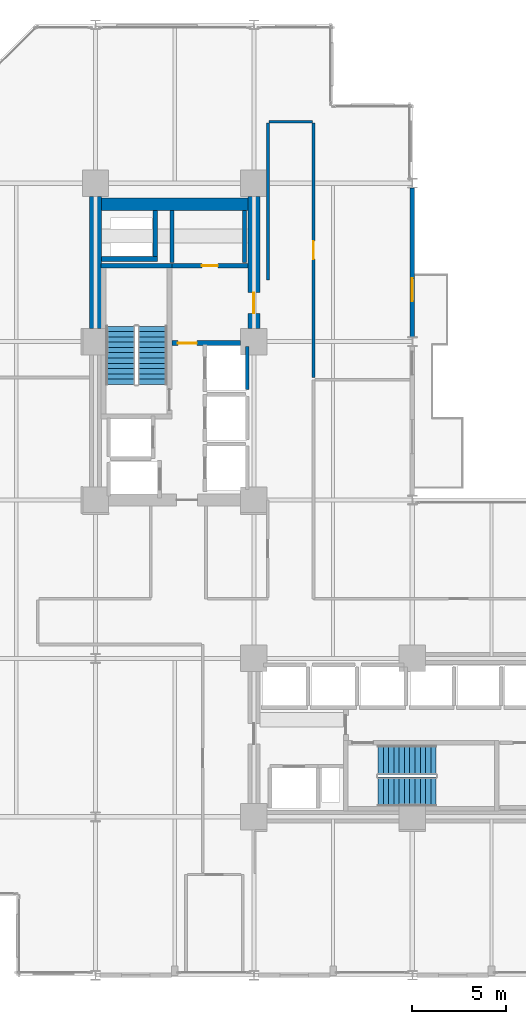
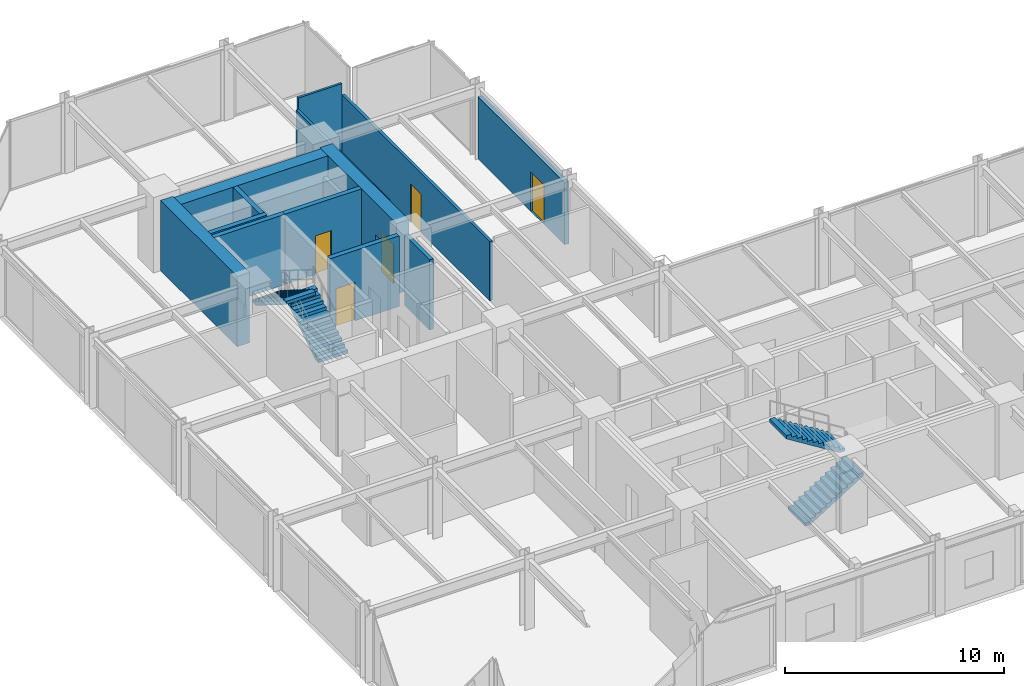
# One storey, part 21 of 24: 15 walls, 5 doors, 4 stair flights, 5 openings, 2 elements without a shape of their own.
"""IFC4 building model written with IfcOpenShell, lengths in metres."""

from ifc_helpers import new_model, si_unit, direction, frame, frame_2d, origin, place, context, subcontext, project, spatial, polyline, rectangle, outline, extrude, material, layer, layer_set, type_object, element, fill, aggregate, save


model = new_model("IFC4")

# Units and contexts
model_context = context("Model", 3, precision=1e-05, world=origin(), true_north=direction((0.0, 1.0)))
body_context = subcontext(model_context, "Body", "Model", "MODEL_VIEW")
ifc_project = project(units=[si_unit("LENGTHUNIT", "METRE"), si_unit("AREAUNIT", "SQUARE_METRE"), si_unit("VOLUMEUNIT", "CUBIC_METRE"), si_unit("PLANEANGLEUNIT", "RADIAN"), si_unit("MASSUNIT", "GRAM", prefix="KILO")], contexts=[model_context])

# Site, building, storey
site_placement = place(None, origin())
site = spatial("IfcSite", under=ifc_project, at=site_placement, CompositionType="ELEMENT")
building_placement = place(site_placement, origin())
building = spatial("IfcBuilding", under=site, at=building_placement, Name="Nerrivon Quay Data Exchange", CompositionType="ELEMENT")
storey_placement = place(building_placement, frame((0.0, 0.0, 33.199951171875)))
storey = spatial("IfcBuildingStorey", under=building, at=storey_placement, Name="L07", CompositionType="ELEMENT", Elevation=33.199951171875)

# Wall, opening, door
ifc_material_1 = material(Name="Architectural terracotta precast concrete N50 (50 MPa)", Category="masonry")
ifc_layer_1 = layer(ifc_material_1, 0.239990234375)
ifc_layer_set_1 = layer_set([ifc_layer_1], Name="Architectural terracotta precast concrete N50 (50 MPa)")
wall_type_1 = type_object("IfcWallType", Name="EW-PREC-240", PredefinedType="STANDARD", material=ifc_layer_set_1)
wall_1_placement = place(storey_placement, frame((25.199951171875, 41.75, 0.0), z_axis=(0.0, 0.0, 1.0), x_axis=(0.0, -1.0, 0.0)))
wall_1 = element("IfcWall", 1, at=wall_1_placement, inside=storey, type_object=wall_type_1, Name="L07 Terrace Host Wall 26", PredefinedType="STANDARD", context=body_context, shape_type="SweptSolid", body=[
    extrude(rectangle(XDim=7.89990234375, YDim=0.239990234375, at=frame_2d((3.949951171875, 0.0))), origin(), (0.0, 0.0, 1.0), 3.470947265625),
])
opening_1_placement = place(wall_1_placement, frame((4.800048828125, 0.0, 0.0)))
opening_1 = element("IfcOpeningElement", 2, at=opening_1_placement, cuts=wall_1, Name="Opening TD1", PredefinedType="OPENING", context=body_context, shape_type="SweptSolid", body=[
    extrude(rectangle(XDim=1.199951171875, YDim=2.199951171875, at=frame_2d((0.60009765625, 1.10009765625))), frame((0.0, 0.1298828125, 0.0), z_axis=(0.0, -1.0, 0.0), x_axis=(1.0, 0.0, 0.0)), (0.0, 0.0, 1.0), 0.260009765625),
])
ifc_material_2 = material(Name="Double-glazed low-E solar control glass", Category="glass")
door_type_1 = type_object("IfcDoorType", Name="DR-TERR-1200x2200", OperationType="NOTDEFINED", PredefinedType="DOOR", material=ifc_material_2)
door_1_placement = place(opening_1_placement, origin())
door_1 = element("IfcDoor", 3, at=door_1_placement, inside=storey, type_object=door_type_1, Name="L07 Outdoor Terrace Access Door 26", OperationType="SINGLE_SWING_LEFT", OverallHeight=2.199951171875, OverallWidth=1.199951171875, PredefinedType="DOOR", context=body_context, shape_type="SweptSolid", body=[
    extrude(rectangle(XDim=1.199951171875, YDim=2.199951171875, at=frame_2d((0.60009765625, 1.10009765625))), frame((0.0, 0.02490234375, 0.0), z_axis=(0.0, -1.0, 0.0), x_axis=(1.0, 0.0, 0.0)), (0.0, 0.0, 1.0), 0.050048828125),
])
fill(opening_1, door_1)

# Walls
ifc_material_3 = material(Name="Concrete N80 (80 MPa)", Category="concrete")
ifc_layer_2 = layer(ifc_material_3, 0.64990234375)
ifc_layer_set_2 = layer_set([ifc_layer_2], Name="Concrete N80 (80 MPa)")
wall_type_2 = type_object("IfcWallType", Name="WALL-CW-850", PredefinedType="SHEAR", material=ifc_layer_set_2)
wall_2_placement = place(storey_placement, frame((8.39990234375, 34.300048828125, 0.0), z_axis=(0.0, 0.0, 1.0), x_axis=(0.0, 1.0, 0.0)))
element("IfcWall", 4, at=wall_2_placement, inside=storey, type_object=wall_type_2, Name="L07 West Split-Core Shear Wall WCW-W2", PredefinedType="SHEAR", context=body_context, shape_type="SweptSolid", body=[
    extrude(rectangle(XDim=7.0, YDim=0.64990234375, at=frame_2d((3.5, 0.0))), origin(), (0.0, 0.0, 1.0), 3.925048828125),
])
wall_3_placement = place(storey_placement, frame((8.72509765625, 40.875, 0.0), z_axis=(0.0, 0.0, 1.0), x_axis=(1.0, 0.0, 0.0)))
element("IfcWall", 5, at=wall_3_placement, inside=storey, type_object=wall_type_2, Name="L07 West Split-Core Shear Wall WCW-N1", PredefinedType="SHEAR", context=body_context, shape_type="SweptSolid", body=[
    extrude(rectangle(XDim=7.75, YDim=0.64990234375, at=frame_2d((3.875, 0.0))), origin(), (0.0, 0.0, 1.0), 3.925048828125),
])

# Wall, opening, door
wall_4_placement = place(storey_placement, frame((16.800048828125, 34.300048828125, 0.0), z_axis=(0.0, 0.0, 1.0), x_axis=(0.0, 1.0, 0.0)))
wall_4 = element("IfcWall", 6, at=wall_4_placement, inside=storey, type_object=wall_type_2, Name="L07 West Split-Core Shear Wall WCW-E1", PredefinedType="SHEAR", context=body_context, shape_type="SweptSolid", body=[
    extrude(rectangle(XDim=7.0, YDim=0.64990234375, at=frame_2d((3.5, 0.0))), origin(), (0.0, 0.0, 1.0), 3.925048828125),
])
opening_2_placement = place(wall_4_placement, frame((0.800048828125, 0.0, 0.0)))
opening_2 = element("IfcOpeningElement", 7, at=opening_2_placement, cuts=wall_4, Name="Opening FD-120", PredefinedType="OPENING", context=body_context, shape_type="SweptSolid", body=[
    extrude(rectangle(XDim=1.10009765625, YDim=2.14990234375, at=frame_2d((0.550048828125, 1.074951171875))), frame((0.0, 0.3349609375, 0.0), z_axis=(0.0, -1.0, 0.0), x_axis=(1.0, 0.0, 0.0)), (0.0, 0.0, 1.0), 0.669921875),
])
ifc_material_4 = material(Name="Powder-coated galvanized steel sheet", Category="steel")
door_type_2 = type_object("IfcDoorType", Name="DR-FD120-1100", OperationType="NOTDEFINED", PredefinedType="DOOR", material=ifc_material_4)
door_2_placement = place(opening_2_placement, origin())
door_2 = element("IfcDoor", 8, at=door_2_placement, inside=storey, type_object=door_type_2, Name="L07 West Core Lobby Fire Door", OperationType="SINGLE_SWING_RIGHT", OverallHeight=2.14990234375, OverallWidth=1.10009765625, PredefinedType="DOOR", context=body_context, shape_type="SweptSolid", body=[
    extrude(rectangle(XDim=1.10009765625, YDim=2.14990234375, at=frame_2d((0.550048828125, 1.074951171875))), frame((0.0, 0.02490234375, 0.0), z_axis=(0.0, -1.0, 0.0), x_axis=(1.0, 0.0, 0.0)), (0.0, 0.0, 1.0), 0.050048828125),
])
fill(opening_2, door_2)

# Walls
ifc_material_5 = material(Name="Gypsum plasterboard on cold-formed framing", Category="gypsum")
ifc_layer_3 = layer(ifc_material_5, 0.199951171875)
ifc_layer_set_3 = layer_set([ifc_layer_3], Name="Gypsum plasterboard on cold-formed framing")
wall_type_3 = type_object("IfcWallType", Name="WALL-FW-200", PredefinedType="PARTITIONING", material=ifc_layer_set_3)
wall_5_placement = place(storey_placement, frame((16.449951171875, 31.050048828125, 0.0), z_axis=(0.0, 0.0, 1.0), x_axis=(0.0, 1.0, 0.0)))
element("IfcWall", 9, at=wall_5_placement, inside=storey, type_object=wall_type_3, Name="L07 Lift Shaft Wall PL3 EAST", PredefinedType="PARTITIONING", context=body_context, shape_type="SweptSolid", body=[
    extrude(rectangle(XDim=2.300048828125, YDim=0.199951171875, at=frame_2d((1.14990234375, 0.0))), origin(), (0.0, 0.0, 1.0), 3.925048828125),
])
for number, where, z_axis, x_axis, name in (
    (10, (16.300048828125, 37.780029296875, 0.0), (0.0, 0.0, 1.0), (0.0, 1.0, 0.0), "L07 Partition Cleaners Store"),
    (11, (12.449951171875, 40.5458984375, 0.0), (0.0, 0.0, 1.0), (0.0, -1.0, 0.0), "L07 Partition Cleaners Store"),
):
    element("IfcWall", number, at=place(storey_placement, frame(where, z_axis=z_axis, x_axis=x_axis)), inside=storey, type_object=wall_type_3, Name=name, PredefinedType="PARTITIONING", context=body_context, shape_type="SweptSolid", body=[
        extrude(rectangle(XDim=2.765869140625, YDim=0.199951171875, at=frame_2d((1.3828125, 0.0))), origin(), (0.0, 0.0, 1.0), 2.824951171875),
    ])
ifc_layer_4 = layer(ifc_material_5, 0.1201171875)
ifc_layer_set_4 = layer_set([ifc_layer_4], Name="Gypsum plasterboard on cold-formed framing")
wall_type_4 = type_object("IfcWallType", Name="WALL-PT-120", PredefinedType="PARTITIONING", material=ifc_layer_set_4)
wall_6_placement = place(storey_placement, frame((17.60009765625, 45.260009765625, 0.0), z_axis=(0.0, 0.0, 1.0), x_axis=(1.0, 0.0, 0.0)))
element("IfcWall", 12, at=wall_6_placement, inside=storey, type_object=wall_type_4, Name="L07 Partition Cloud Compute Workspace 1", PredefinedType="PARTITIONING", context=body_context, shape_type="SweptSolid", body=[
    extrude(rectangle(XDim=2.2998046875, YDim=0.1201171875, at=frame_2d((1.14990234375, 0.0))), origin(), (0.0, 0.0, 1.0), 3.925048828125),
])

# Wall, opening, door
ifc_layer_5 = layer(ifc_material_5, 0.14990234375)
ifc_layer_set_5 = layer_set([ifc_layer_5], Name="Gypsum plasterboard on cold-formed framing")
wall_type_5 = type_object("IfcWallType", Name="WALL-PT-150", PredefinedType="PARTITIONING", material=ifc_layer_set_5)
wall_7_placement = place(storey_placement, frame((19.9599609375, 45.199951171875, 0.0), z_axis=(0.0, 0.0, 1.0), x_axis=(0.0, -1.0, 0.0)))
wall_7 = element("IfcWall", 13, at=wall_7_placement, inside=storey, type_object=wall_type_5, Name="L07 Partition Cloud Compute Workspace 1", PredefinedType="PARTITIONING", context=body_context, shape_type="SweptSolid", body=[
    extrude(rectangle(XDim=13.507080078125, YDim=0.14990234375, at=frame_2d((6.75341796875, 0.0))), origin(), (0.0, 0.0, 1.0), 3.31298828125),
])
opening_3_placement = place(wall_7_placement, frame((6.278564453125, 0.0, 0.0)))
opening_3 = element("IfcOpeningElement", 14, at=opening_3_placement, cuts=wall_7, Name="Opening D-01", PredefinedType="OPENING", context=body_context, shape_type="SweptSolid", body=[
    extrude(rectangle(XDim=0.949951171875, YDim=2.14990234375, at=frame_2d((0.47509765625, 1.074951171875))), frame((0.0, 0.0849609375, 0.0), z_axis=(0.0, -1.0, 0.0), x_axis=(1.0, 0.0, 0.0)), (0.0, 0.0, 1.0), 0.169921875),
])
ifc_material_6 = material(Name="Engineered hardwood timber", Category="wood")
door_type_3 = type_object("IfcDoorType", Name="DR-INT-950", OperationType="NOTDEFINED", PredefinedType="DOOR", material=ifc_material_6)
door_3_placement = place(opening_3_placement, origin())
door_3 = element("IfcDoor", 15, at=door_3_placement, inside=storey, type_object=door_type_3, Name="L07 Door Cloud Compute Workspace 1", OperationType="SINGLE_SWING_RIGHT", OverallHeight=2.14990234375, OverallWidth=0.949951171875, PredefinedType="DOOR", context=body_context, shape_type="SweptSolid", body=[
    extrude(rectangle(XDim=0.949951171875, YDim=2.14990234375, at=frame_2d((0.47509765625, 1.074951171875))), frame((0.0, 0.02490234375, 0.0), z_axis=(0.0, -1.0, 0.0), x_axis=(1.0, 0.0, 0.0)), (0.0, 0.0, 1.0), 0.050048828125),
])
fill(opening_3, door_3)

# Walls
wall_8_placement = place(storey_placement, frame((17.5400390625, 36.860107421875, 0.0), z_axis=(0.0, 0.0, 1.0), x_axis=(0.0, 1.0, 0.0)))
element("IfcWall", 16, at=wall_8_placement, inside=storey, type_object=wall_type_5, Name="L07 Partition Cloud Compute Workspace 1", PredefinedType="PARTITIONING", context=body_context, shape_type="SweptSolid", body=[
    extrude(rectangle(XDim=8.33984375, YDim=0.14990234375, at=frame_2d((4.169921875, 0.0))), origin(), (0.0, 0.0, 1.0), 3.31298828125),
])
ifc_material_7 = material(Name="Concrete N50 (50 MPa)", Category="concrete")
ifc_layer_6 = layer(ifc_material_7, 0.25)
ifc_layer_set_6 = layer_set([ifc_layer_6], Name="Concrete N50 (50 MPa)")
wall_type_6 = type_object("IfcWallType", Name="WALL-SW-250", PredefinedType="SHEAR", material=ifc_layer_set_6)
wall_9_placement = place(storey_placement, frame((12.449951171875, 37.625, 0.0), z_axis=(0.0, 0.0, 1.0), x_axis=(-1.0, 0.0, 0.0)))
element("IfcWall", 17, at=wall_9_placement, inside=storey, type_object=wall_type_6, Name="L07 ST01 Structural Stair Core Wall FAR", PredefinedType="SHEAR", context=body_context, shape_type="SweptSolid", body=[
    extrude(rectangle(XDim=3.75, YDim=0.25, at=frame_2d((1.875, 0.0))), origin(), (0.0, 0.0, 1.0), 3.925048828125),
])
wall_10_placement = place(storey_placement, frame((8.72509765625, 37.97509765625, 0.0), z_axis=(0.0, 0.0, 1.0), x_axis=(1.0, 0.0, 0.0)))
element("IfcWall", 18, at=wall_10_placement, inside=storey, type_object=wall_type_6, Name="L07 West Core MEP Riser Shaft Wall S", PredefinedType="SHEAR", context=body_context, shape_type="SweptSolid", body=[
    extrude(rectangle(XDim=2.974853515625, YDim=0.25, at=frame_2d((1.4873046875, 0.0))), origin(), (0.0, 0.0, 1.0), 3.925048828125),
])
wall_11_placement = place(storey_placement, frame((11.574951171875, 38.10009765625, 0.0), z_axis=(0.0, 0.0, 1.0), x_axis=(0.0, 1.0, 0.0)))
element("IfcWall", 19, at=wall_11_placement, inside=storey, type_object=wall_type_6, Name="L07 West Core MEP Riser Shaft Wall E", PredefinedType="SHEAR", context=body_context, shape_type="SweptSolid", body=[
    extrude(rectangle(XDim=2.449951171875, YDim=0.25, at=frame_2d((1.22509765625, 0.0))), origin(), (0.0, 0.0, 1.0), 3.925048828125),
])

# Wall, opening, door
wall_12_placement = place(storey_placement, frame((12.449951171875, 33.52001953125, 0.0), z_axis=(0.0, 0.0, 1.0), x_axis=(1.0, 0.0, 0.0)))
wall_12 = element("IfcWall", 20, at=wall_12_placement, inside=storey, type_object=wall_type_6, Name="L07 West Lobby Smoke-Stop Wall", PredefinedType="SHEAR", context=body_context, shape_type="SweptSolid", body=[
    extrude(rectangle(XDim=3.650146484375, YDim=0.25, at=frame_2d((1.8251953125, 0.0))), origin(), (0.0, 0.0, 1.0), 3.925048828125),
])
opening_4_placement = place(wall_12_placement, frame((0.320068359375, 0.0, 0.0)))
opening_4 = element("IfcOpeningElement", 21, at=opening_4_placement, cuts=wall_12, Name="Opening FD-60", PredefinedType="OPENING", context=body_context, shape_type="SweptSolid", body=[
    extrude(rectangle(XDim=1.0, YDim=2.14990234375, at=frame_2d((0.5, 1.074951171875))), frame((0.0, 0.135009765625, 0.0), z_axis=(0.0, -1.0, 0.0), x_axis=(1.0, 0.0, 0.0)), (0.0, 0.0, 1.0), 0.27001953125),
])
door_type_4 = type_object("IfcDoorType", Name="DR-FD60-1000", OperationType="NOTDEFINED", PredefinedType="DOOR", material=ifc_material_6)
door_4_placement = place(opening_4_placement, origin())
door_4 = element("IfcDoor", 22, at=door_4_placement, inside=storey, type_object=door_type_4, Name="L07 West Firefighting Lobby Fire Door", OperationType="SINGLE_SWING_RIGHT", OverallHeight=2.14990234375, OverallWidth=1.0, PredefinedType="DOOR", context=body_context, shape_type="SweptSolid", body=[
    extrude(rectangle(XDim=1.0, YDim=2.14990234375, at=frame_2d((0.5, 1.074951171875))), frame((0.0, 0.02490234375, 0.0), z_axis=(0.0, -1.0, 0.0), x_axis=(1.0, 0.0, 0.0)), (0.0, 0.0, 1.0), 0.050048828125),
])
fill(opening_4, door_4)

wall_13_placement = place(storey_placement, frame((12.449951171875, 37.625, 0.0), z_axis=(0.0, 0.0, 1.0), x_axis=(1.0, 0.0, 0.0)))
wall_13 = element("IfcWall", 23, at=wall_13_placement, inside=storey, type_object=wall_type_6, Name="L07 West Firefighting Lobby Wall", PredefinedType="SHEAR", context=body_context, shape_type="SweptSolid", body=[
    extrude(rectangle(XDim=4.025146484375, YDim=0.25, at=frame_2d((2.0126953125, 0.0))), origin(), (0.0, 0.0, 1.0), 3.925048828125),
])
opening_5_placement = place(wall_13_placement, frame((1.58740234375, 0.0, 0.0)))
opening_5 = element("IfcOpeningElement", 24, at=opening_5_placement, cuts=wall_13, Name="Opening FD-60S", PredefinedType="OPENING", context=body_context, shape_type="SweptSolid", body=[
    extrude(rectangle(XDim=0.85009765625, YDim=2.14990234375, at=frame_2d((0.425048828125, 1.074951171875))), frame((0.0, 0.135009765625, 0.0), z_axis=(0.0, -1.0, 0.0), x_axis=(1.0, 0.0, 0.0)), (0.0, 0.0, 1.0), 0.27001953125),
])
door_type_5 = type_object("IfcDoorType", Name="DR-FD60-850", OperationType="NOTDEFINED", PredefinedType="DOOR", material=ifc_material_6)
door_5_placement = place(opening_5_placement, origin())
door_5 = element("IfcDoor", 25, at=door_5_placement, inside=storey, type_object=door_type_5, Name="L07 Door Cleaners Store", OperationType="SINGLE_SWING_RIGHT", OverallHeight=2.14990234375, OverallWidth=0.85009765625, PredefinedType="DOOR", context=body_context, shape_type="SweptSolid", body=[
    extrude(rectangle(XDim=0.85009765625, YDim=2.14990234375, at=frame_2d((0.425048828125, 1.074951171875))), frame((0.0, 0.02490234375, 0.0), z_axis=(0.0, -1.0, 0.0), x_axis=(1.0, 0.0, 0.0)), (0.0, 0.0, 1.0), 0.050048828125),
])
fill(opening_5, door_5)

# Stair, stair flights
stair_type = type_object("IfcStairType", Name="STAIR-DOG-42", PredefinedType="HALF_TURN_STAIR", material=ifc_material_7)
stair_1_placement = place(storey_placement, origin())
stair_1 = element("IfcStair", 26, at=stair_1_placement, inside=storey, type_object=stair_type, Name="L07 West Core Fire Stair ST01", PredefinedType="HALF_TURN_STAIR")
stair_flight_type = type_object("IfcStairFlightType", Name="FLIGHT-DOG-42", PredefinedType="STRAIGHT", material=ifc_material_7)
stair_flight_1_placement = place(storey_placement, frame((11.425048828125, 31.330078125, 0.0), z_axis=(0.0, 0.0, 1.0), x_axis=(0.0, 1.0, 0.0)))
stair_flight_1 = element("IfcStairFlight", 27, at=stair_flight_1_placement, type_object=stair_flight_type, Name="ST01 flight 1", NumberOfRisers=12, NumberOfTreads=11, PredefinedType="STRAIGHT", RiserHeight=0.175, TreadLength=0.28, context=body_context, shape_type="SweptSolid", body=[
    extrude(outline(polyline([(0.0, 0.0), (0.0, 0.175048828125), (0.280029296875, 0.175048828125), (0.280029296875, 0.35009765625), (0.56005859375, 0.35009765625), (0.56005859375, 0.52490234375), (0.840087890625, 0.52490234375), (0.840087890625, 0.699951171875), (1.1201171875, 0.699951171875), (1.1201171875, 0.875), (1.39990234375, 0.875), (1.39990234375, 1.050048828125), (1.679931640625, 1.050048828125), (1.679931640625, 1.22509765625), (1.9599609375, 1.22509765625), (1.9599609375, 1.39990234375), (2.239990234375, 1.39990234375), (2.239990234375, 1.574951171875), (2.52001953125, 1.574951171875), (2.52001953125, 1.75), (2.800048828125, 1.75), (2.800048828125, 1.925048828125), (3.080078125, 1.925048828125), (3.080078125, 2.10009765625), (3.080078125, 1.748291015625), (0.28271484375, 0.0), (0.0, 0.0)])), frame((0.0, 0.77490234375, 0.0), z_axis=(0.0, -1.0, 0.0), x_axis=(1.0, 0.0, 0.0)), (0.0, 0.0, 1.0), 1.550048828125),
])
stair_flight_2_placement = place(storey_placement, frame((9.72509765625, 34.409912109375, 2.10009765625), z_axis=(0.0, 0.0, 1.0), x_axis=(0.0, -1.0, 0.0)))
stair_flight_2 = element("IfcStairFlight", 28, at=stair_flight_2_placement, type_object=stair_flight_type, Name="ST01 flight 2", NumberOfRisers=12, NumberOfTreads=11, PredefinedType="STRAIGHT", RiserHeight=0.175, TreadLength=0.28, context=body_context, shape_type="SweptSolid", body=[
    extrude(outline(polyline([(0.0, 0.0), (0.0, 0.175048828125), (0.280029296875, 0.175048828125), (0.280029296875, 0.35009765625), (0.56005859375, 0.35009765625), (0.56005859375, 0.52490234375), (0.840087890625, 0.52490234375), (0.840087890625, 0.699951171875), (1.1201171875, 0.699951171875), (1.1201171875, 0.875), (1.39990234375, 0.875), (1.39990234375, 1.050048828125), (1.679931640625, 1.050048828125), (1.679931640625, 1.22509765625), (1.9599609375, 1.22509765625), (1.9599609375, 1.39990234375), (2.239990234375, 1.39990234375), (2.239990234375, 1.574951171875), (2.52001953125, 1.574951171875), (2.52001953125, 1.75), (2.800048828125, 1.75), (2.800048828125, 1.925048828125), (3.080078125, 1.925048828125), (3.080078125, 2.10009765625), (3.080078125, 1.748291015625), (0.28271484375, 0.0), (0.0, 0.0)])), frame((0.0, 0.77490234375, 0.0), z_axis=(0.0, -1.0, 0.0), x_axis=(1.0, 0.0, 0.0)), (0.0, 0.0, 1.0), 1.550048828125),
])
aggregate(stair_1, [stair_flight_1, stair_flight_2])

stair_2_placement = place(storey_placement, origin())
stair_2 = element("IfcStair", 29, at=stair_2_placement, inside=storey, type_object=stair_type, Name="L07 East Core Fire Stair ST02", PredefinedType="HALF_TURN_STAIR")
stair_flight_3_placement = place(storey_placement, frame((23.3798828125, 9.72509765625, 0.0), z_axis=(0.0, 0.0, 1.0), x_axis=(1.0, 0.0, 0.0)))
stair_flight_3 = element("IfcStairFlight", 30, at=stair_flight_3_placement, type_object=stair_flight_type, Name="ST02 flight 1", NumberOfRisers=12, NumberOfTreads=11, PredefinedType="STRAIGHT", RiserHeight=0.175, TreadLength=0.28, context=body_context, shape_type="SweptSolid", body=[
    extrude(outline(polyline([(0.0, 0.0), (0.0, 0.175048828125), (0.280029296875, 0.175048828125), (0.280029296875, 0.35009765625), (0.56005859375, 0.35009765625), (0.56005859375, 0.52490234375), (0.840087890625, 0.52490234375), (0.840087890625, 0.699951171875), (1.1201171875, 0.699951171875), (1.1201171875, 0.875), (1.39990234375, 0.875), (1.39990234375, 1.050048828125), (1.679931640625, 1.050048828125), (1.679931640625, 1.22509765625), (1.9599609375, 1.22509765625), (1.9599609375, 1.39990234375), (2.239990234375, 1.39990234375), (2.239990234375, 1.574951171875), (2.52001953125, 1.574951171875), (2.52001953125, 1.75), (2.800048828125, 1.75), (2.800048828125, 1.925048828125), (3.080078125, 1.925048828125), (3.080078125, 2.10009765625), (3.080078125, 1.748291015625), (0.28271484375, 0.0), (0.0, 0.0)])), frame((0.0, 0.77490234375, 0.0), z_axis=(0.0, -1.0, 0.0), x_axis=(1.0, 0.0, 0.0)), (0.0, 0.0, 1.0), 1.550048828125),
])
stair_flight_4_placement = place(storey_placement, frame((26.4599609375, 11.425048828125, 2.10009765625), z_axis=(0.0, 0.0, 1.0), x_axis=(-1.0, 0.0, 0.0)))
stair_flight_4 = element("IfcStairFlight", 31, at=stair_flight_4_placement, type_object=stair_flight_type, Name="ST02 flight 2", NumberOfRisers=12, NumberOfTreads=11, PredefinedType="STRAIGHT", RiserHeight=0.175, TreadLength=0.28, context=body_context, shape_type="SweptSolid", body=[
    extrude(outline(polyline([(0.0, 0.0), (0.0, 0.175048828125), (0.280029296875, 0.175048828125), (0.280029296875, 0.35009765625), (0.56005859375, 0.35009765625), (0.56005859375, 0.52490234375), (0.840087890625, 0.52490234375), (0.840087890625, 0.699951171875), (1.1201171875, 0.699951171875), (1.1201171875, 0.875), (1.39990234375, 0.875), (1.39990234375, 1.050048828125), (1.679931640625, 1.050048828125), (1.679931640625, 1.22509765625), (1.9599609375, 1.22509765625), (1.9599609375, 1.39990234375), (2.239990234375, 1.39990234375), (2.239990234375, 1.574951171875), (2.52001953125, 1.574951171875), (2.52001953125, 1.75), (2.800048828125, 1.75), (2.800048828125, 1.925048828125), (3.080078125, 1.925048828125), (3.080078125, 2.10009765625), (3.080078125, 1.748291015625), (0.28271484375, 0.0), (0.0, 0.0)])), frame((0.0, 0.77490234375, 0.0), z_axis=(0.0, -1.0, 0.0), x_axis=(1.0, 0.0, 0.0)), (0.0, 0.0, 1.0), 1.550048828125),
])
aggregate(stair_2, [stair_flight_3, stair_flight_4])

save(model, "model.ifc")
